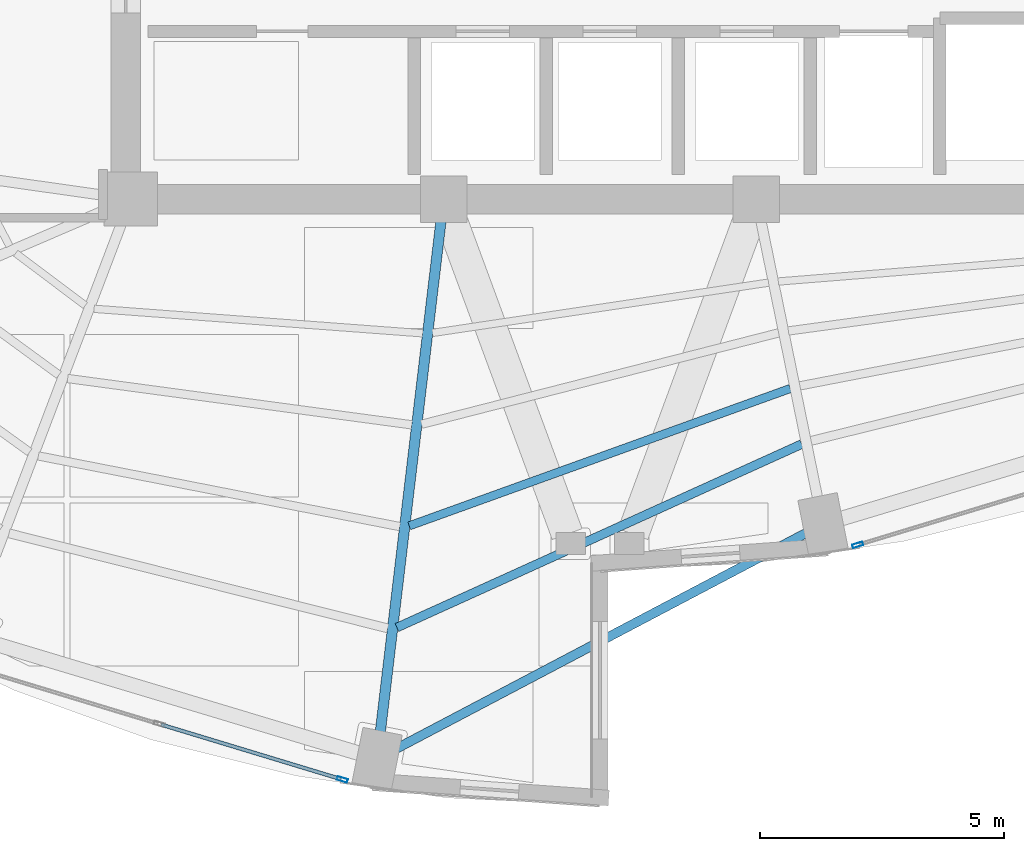
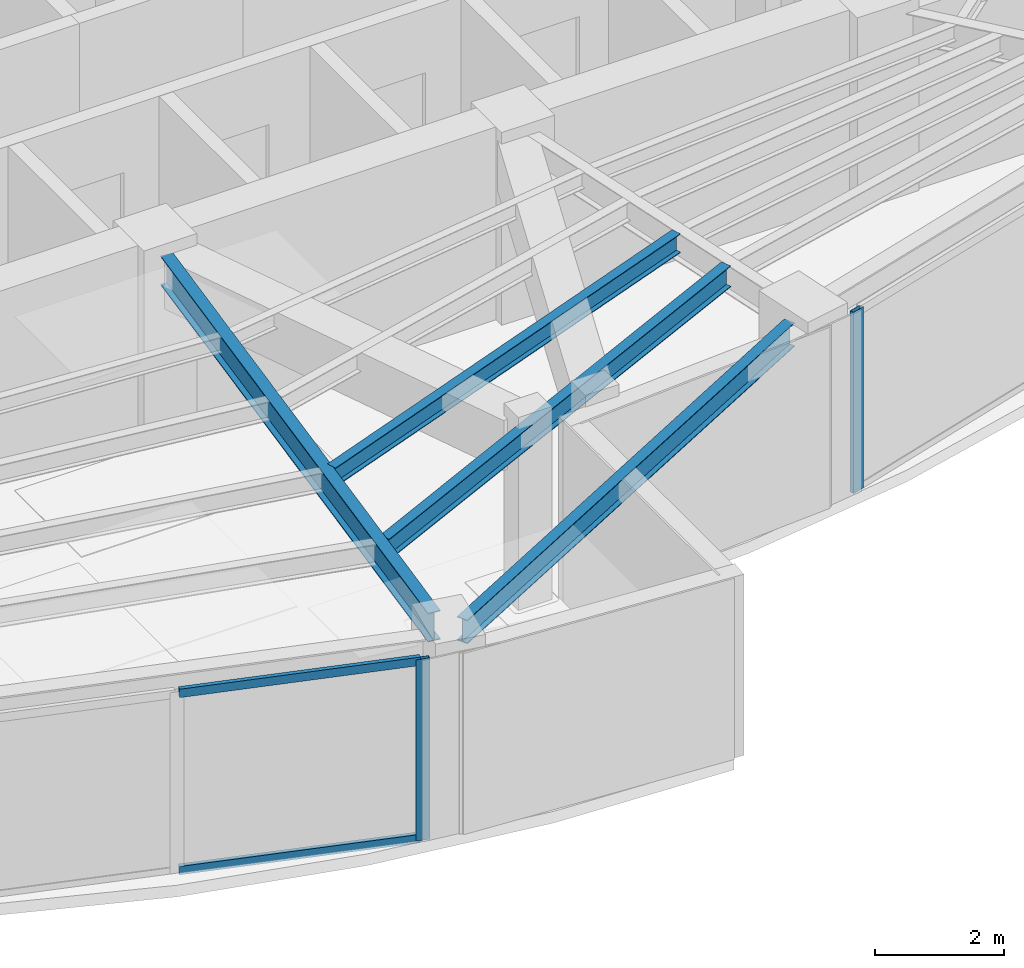
# One storey, part 4 of 20: 4 beams, 4 members, 2 elements without a shape of their own.
"""IFC4 building model written with IfcOpenShell, lengths in metres."""

from ifc_helpers import new_model, si_unit, direction, frame, origin, origin_2d, place, context, subcontext, project, spatial, hollow_rectangle, i_section, extrude, material, layer, layer_set, material_profile, profile_set, type_object, element, aggregate, save


model = new_model("IFC4")

# Units and contexts
model_context = context("Model", 3, precision=1e-05, world=origin(), true_north=direction((0.0, 1.0)))
body_context = subcontext(model_context, "Body", "Model", "MODEL_VIEW")
ifc_project = project(units=[si_unit("LENGTHUNIT", "METRE"), si_unit("AREAUNIT", "SQUARE_METRE"), si_unit("VOLUMEUNIT", "CUBIC_METRE"), si_unit("PLANEANGLEUNIT", "RADIAN"), si_unit("MASSUNIT", "GRAM", prefix="KILO")], contexts=[model_context])

# Site, building, storey
site_placement = place(None, origin())
site = spatial("IfcSite", under=ifc_project, at=site_placement, CompositionType="ELEMENT")
building_placement = place(site_placement, origin())
building = spatial("IfcBuilding", under=site, at=building_placement, Name="Lazwardi Medical Tower", CompositionType="ELEMENT")
storey_placement = place(building_placement, frame((0.0, 0.0, 145.583984375)))
storey = spatial("IfcBuildingStorey", under=building, at=storey_placement, Name="L37", CompositionType="ELEMENT", Elevation=145.583984375)

# Beams
ifc_material_1 = material(Name="Steel S355", Category="steel")
ifc_material_profile_1 = material_profile(ifc_material_1, i_section(OverallWidth=0.2099609375, OverallDepth=0.550048828125, WebThickness=0.010986328125, FlangeThickness=0.01708984375, at=origin_2d()), Name="IPE 550")
ifc_profile_set_1 = profile_set([ifc_material_profile_1], Name="Steel S355")
beam_type_1 = type_object("IfcBeamType", Name="BM-RG-W2", PredefinedType="BEAM", material=ifc_profile_set_1)
beam_1_placement = place(storey_placement, frame((31.505859375, 9.50732421875, 3.153076171875), z_axis=(0.117968004211, 0.993017396616, 0.0), x_axis=(-0.993017396616, 0.117968004211, 0.0)))
element("IfcBeam", 1, at=beam_1_placement, inside=storey, type_object=beam_type_1, Name="Radial girder RG-03 R16 L37", PredefinedType="BEAM", context=body_context, shape_type="SweptSolid", body=[
    extrude(i_section(OverallWidth=0.2099609375, OverallDepth=0.550048828125, WebThickness=0.010986328125, FlangeThickness=0.01708984375, at=origin_2d()), origin(), (0.0, 0.0, 1.0), 10.50927734375),
])
ifc_material_profile_2 = material_profile(ifc_material_1, i_section(OverallWidth=0.179931640625, OverallDepth=0.39990234375, WebThickness=0.008544921875, FlangeThickness=0.013427734375, at=origin_2d()), Name="IPE 400")
ifc_profile_set_2 = profile_set([ifc_material_profile_2], Name="Steel S355")
beam_type_2 = type_object("IfcBeamType", Name="BM-SJ-01", PredefinedType="JOIST", material=ifc_profile_set_2)
beam_2_placement = place(storey_placement, frame((31.844970703125, 11.6357421875, 3.22802734375), z_axis=(0.910834000674, 0.412772846995, 0.0), x_axis=(-0.412772846995, 0.910834000674, 0.0)))
element("IfcBeam", 2, at=beam_2_placement, inside=storey, type_object=beam_type_2, Name="Secondary joist SJ-01 R1 B16 L37", PredefinedType="JOIST", context=body_context, shape_type="SweptSolid", body=[
    extrude(i_section(OverallWidth=0.179931640625, OverallDepth=0.39990234375, WebThickness=0.008544921875, FlangeThickness=0.013427734375, at=origin_2d()), origin(), (0.0, 0.0, 1.0), 9.09130859375),
])
ifc_material_profile_3 = material_profile(ifc_material_1, i_section(OverallWidth=0.169921875, OverallDepth=0.360107421875, WebThickness=0.008056640625, FlangeThickness=0.0126953125, at=origin_2d()), Name="IPE 360")
ifc_profile_set_3 = profile_set([ifc_material_profile_3], Name="Steel S355")
beam_type_3 = type_object("IfcBeamType", Name="BM-SJ-02", PredefinedType="JOIST", material=ifc_profile_set_3)
beam_3_placement = place(storey_placement, frame((32.095947265625, 13.715576171875, 3.248046875), z_axis=(0.940747993319, 0.339106492221, 0.0), x_axis=(-0.339106492221, 0.940747993319, 0.0)))
element("IfcBeam", 3, at=beam_3_placement, inside=storey, type_object=beam_type_3, Name="Secondary joist SJ-02 R2 B16 L37", PredefinedType="JOIST", context=body_context, shape_type="SweptSolid", body=[
    extrude(i_section(OverallWidth=0.169921875, OverallDepth=0.360107421875, WebThickness=0.008056640625, FlangeThickness=0.0126953125, at=origin_2d()), origin(), (0.0, 0.0, 1.0), 8.28662109375),
])
ifc_material_profile_4 = material_profile(ifc_material_1, i_section(OverallWidth=0.18994140625, OverallDepth=0.449951171875, WebThickness=0.009521484375, FlangeThickness=0.0146484375, at=origin_2d()), Name="IPE 450")
ifc_profile_set_4 = profile_set([ifc_material_profile_4], Name="Steel S355")
beam_type_4 = type_object("IfcBeamType", Name="BM-SP-01", PredefinedType="SPANDREL", material=ifc_profile_set_4)
beam_4_placement = place(storey_placement, frame((31.793701171875, 9.137451171875, 3.203125), z_axis=(0.884926578414, 0.465730556026, 0.0), x_axis=(-0.465730556026, 0.884926578414, 0.0)))
element("IfcBeam", 4, at=beam_4_placement, inside=storey, type_object=beam_type_4, Name="Spandrel beam SP-01 B16 L37", PredefinedType="SPANDREL", context=body_context, shape_type="SweptSolid", body=[
    extrude(i_section(OverallWidth=0.18994140625, OverallDepth=0.449951171875, WebThickness=0.009521484375, FlangeThickness=0.0146484375, at=origin_2d()), origin(), (0.0, 0.0, 1.0), 9.506591796875),
])

# Curtain wall, member
ifc_material_2 = material(Name="Anodised bronze aluminium and solar control glazing", Category="aluminium")
ifc_layer = layer(ifc_material_2, 0.195068359375)
ifc_layer_set = layer_set([ifc_layer], Name="Anodised bronze aluminium and solar control glazing")
curtain_wall_type = type_object("IfcCurtainWallType", Name="CW-SYS-03", PredefinedType="NOTDEFINED", material=ifc_layer_set)
curtain_wall_1_placement = place(storey_placement, origin())
curtain_wall_1 = element("IfcCurtainWall", 5, at=curtain_wall_1_placement, inside=storey, type_object=curtain_wall_type, Name="L37 Unitised bronze curtain wall CW-03", PredefinedType="NOTDEFINED")
ifc_material_3 = material(Name="Anodised bronze aluminium", Category="aluminium")
ifc_material_profile_5 = material_profile(ifc_material_3, hollow_rectangle(XDim=0.074951171875, YDim=0.219970703125, WallThickness=0.00390625, at=origin_2d()), Name="ALU-MULLION 220x75x4")
ifc_profile_set_5 = profile_set([ifc_material_profile_5], Name="Anodised bronze aluminium")
member_type_1 = type_object("IfcMemberType", Name="CW-MUL-01", PredefinedType="MULLION", material=ifc_profile_set_5)
member_1_placement = place(storey_placement, frame((41.27197265625, 13.325927734375, 0.0), z_axis=(0.0, 0.0, 1.0), x_axis=(-0.290280785441, 0.956941516292, 0.0)))
member_1 = element("IfcMember", 6, at=member_1_placement, type_object=member_type_1, Name="CW-03 mullion 1", PredefinedType="MULLION", context=body_context, shape_type="SweptSolid", body=[
    extrude(hollow_rectangle(XDim=0.074951171875, YDim=0.219970703125, WallThickness=0.00390625, at=origin_2d()), origin(), (0.0, 0.0, 1.0), 3.427978515625),
])
aggregate(curtain_wall_1, [member_1])

# Curtain wall, members
curtain_wall_2_placement = place(storey_placement, origin())
curtain_wall_2 = element("IfcCurtainWall", 7, at=curtain_wall_2_placement, inside=storey, type_object=curtain_wall_type, Name="L37 Unitised bronze curtain wall CW-03", PredefinedType="NOTDEFINED")
member_2_placement = place(storey_placement, frame((30.72802734375, 8.52587890625, 0.0), z_axis=(0.0, 0.0, 1.0), x_axis=(0.290280785441, 0.956941516292, 0.0)))
member_2 = element("IfcMember", 8, at=member_2_placement, type_object=member_type_1, Name="CW-03 mullion 3", PredefinedType="MULLION", context=body_context, shape_type="SweptSolid", body=[
    extrude(hollow_rectangle(XDim=0.074951171875, YDim=0.219970703125, WallThickness=0.00390625, at=origin_2d()), origin(), (0.0, 0.0, 1.0), 3.427978515625),
])
ifc_material_profile_6 = material_profile(ifc_material_3, hollow_rectangle(XDim=0.074951171875, YDim=0.159912109375, WallThickness=0.00390625, at=origin_2d()), Name="ALU-TRANSOM 160x75x4")
ifc_profile_set_6 = profile_set([ifc_material_profile_6], Name="Anodised bronze aluminium")
member_type_2 = type_object("IfcMemberType", Name="CW-TRN-01", PredefinedType="USERDEFINED", material=ifc_profile_set_6)
member_3_placement = place(storey_placement, frame((27.020751953125, 9.650390625, 0.03759765625), z_axis=(0.95695319357, -0.290242287264, 0.0), x_axis=(0.290242287264, 0.95695319357, 0.0)))
member_3 = element("IfcMember", 9, at=member_3_placement, type_object=member_type_2, Name="CW-03 transom 2.1", ObjectType="TRANSOM", PredefinedType="USERDEFINED", context=body_context, shape_type="SweptSolid", body=[
    extrude(hollow_rectangle(XDim=0.074951171875, YDim=0.159912109375, WallThickness=0.00390625, at=origin_2d()), origin(), (0.0, 0.0, 1.0), 3.83642578125),
])
member_4_placement = place(storey_placement, frame((27.020751953125, 9.650390625, 3.390625), z_axis=(0.95695319357, -0.290242287264, 0.0), x_axis=(0.290242287264, 0.95695319357, 0.0)))
member_4 = element("IfcMember", 10, at=member_4_placement, type_object=member_type_2, Name="CW-03 transom 2.2", ObjectType="TRANSOM", PredefinedType="USERDEFINED", context=body_context, shape_type="SweptSolid", body=[
    extrude(hollow_rectangle(XDim=0.074951171875, YDim=0.159912109375, WallThickness=0.00390625, at=origin_2d()), origin(), (0.0, 0.0, 1.0), 3.83642578125),
])
aggregate(curtain_wall_2, [member_2, member_3, member_4])

save(model, "model.ifc")
